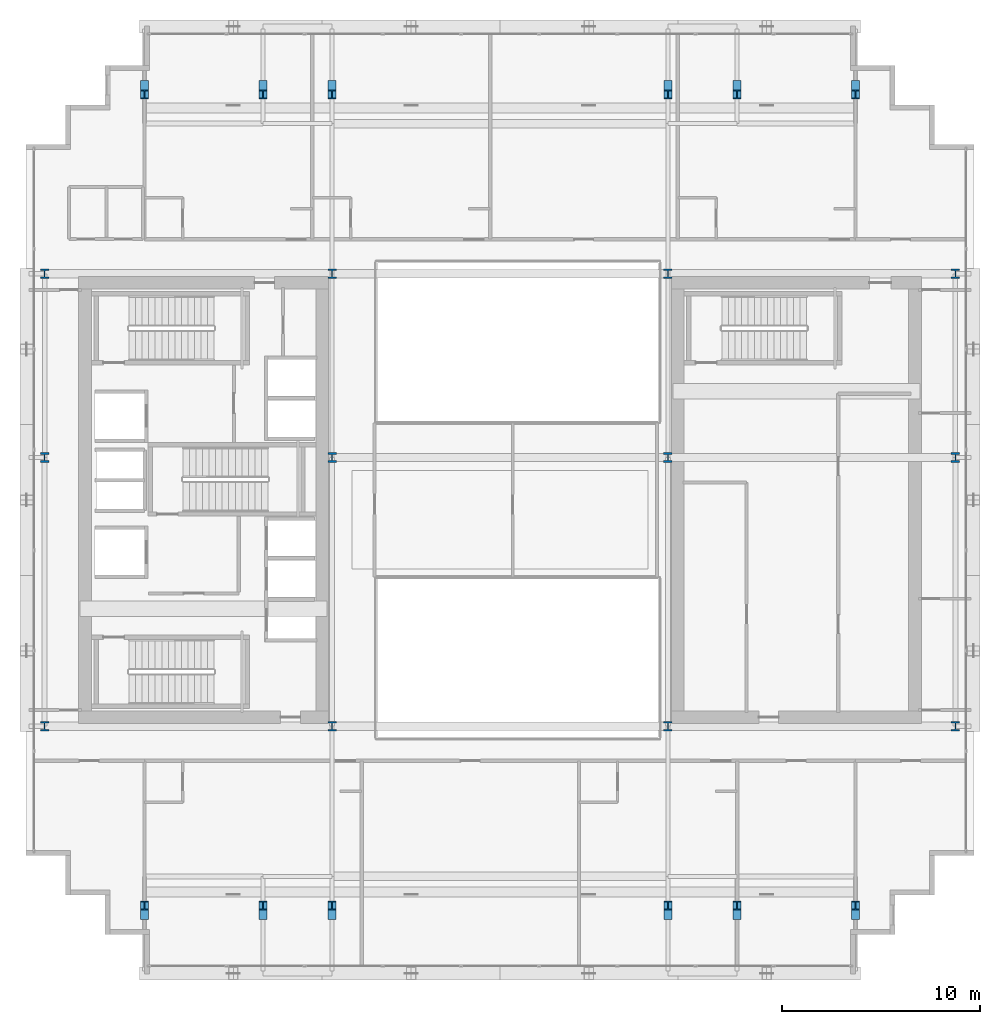
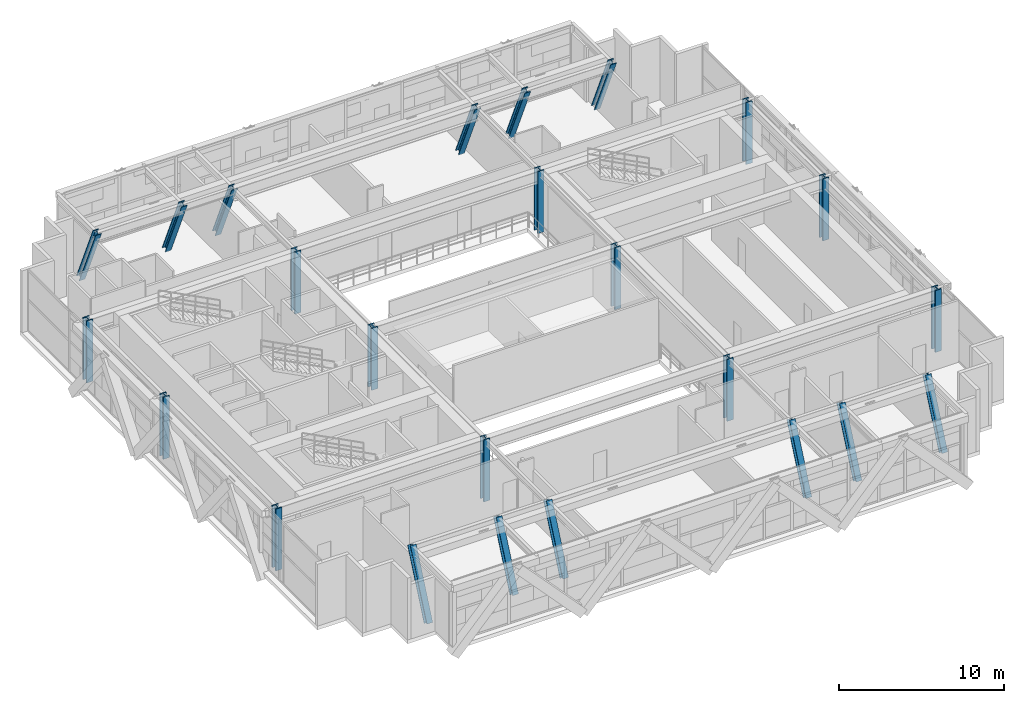
# One storey, part 1 of 35: 24 columns.
"""IFC4 building model written with IfcOpenShell, lengths in metres."""

from ifc_helpers import new_model, si_unit, direction, frame, origin, origin_2d, place, context, subcontext, project, spatial, i_section, extrude, source, transform, mapped, material, material_profile, profile_set, type_object, element, save


model = new_model("IFC4")

# Units and contexts
model_context = context("Model", 3, precision=1e-05, world=origin(), true_north=direction((0.0, 1.0)))
body_context = subcontext(model_context, "Body", "Model", "MODEL_VIEW")
ifc_project = project(units=[si_unit("LENGTHUNIT", "METRE"), si_unit("AREAUNIT", "SQUARE_METRE"), si_unit("VOLUMEUNIT", "CUBIC_METRE"), si_unit("PLANEANGLEUNIT", "RADIAN"), si_unit("MASSUNIT", "GRAM", prefix="KILO")], contexts=[model_context])

# Site, building, storey
site_placement = place(None, origin())
site = spatial("IfcSite", under=ifc_project, at=site_placement, CompositionType="ELEMENT")
building_placement = place(site_placement, origin())
building = spatial("IfcBuilding", under=site, at=building_placement, Name="Ocotamira Hotel", CompositionType="ELEMENT")
storey_placement = place(building_placement, frame((0.0, 0.0, 158.39990234375)))
storey = spatial("IfcBuildingStorey", under=building, at=storey_placement, Name="L39", CompositionType="ELEMENT", Elevation=158.39990234375)

# Columns
ifc_material = material(Name="Steel ASTM A913 Grade 65", Category="steel")
ifc_material_profile_1 = material_profile(ifc_material, i_section(OverallWidth=0.431884765625, OverallDepth=0.498046875, WebThickness=0.0556640625, FlangeThickness=0.0888671875, FilletRadius=0.02490234375, at=origin_2d()), Name="W14X500")
ifc_profile_set_1 = profile_set([ifc_material_profile_1], Name="Steel ASTM A913 Grade 65")
column_type_1 = type_object("IfcColumnType", Name="COL-W14X500", PredefinedType="COLUMN", material=ifc_profile_set_1)
shared_shape_1 = source(origin(), body_context, "Body", "SweptSolid", [
    extrude(i_section(OverallWidth=0.431884765625, OverallDepth=0.498046875, WebThickness=0.0556640625, FlangeThickness=0.0888671875, FilletRadius=0.02490234375, at=origin_2d()), origin(), (0.0, 0.0, 1.0), 4.570068359375),
])
for number, where, z_axis, x_axis, name in (
    (1, (8.949951171875, 14.550048828125, 0.0), (0.0, 0.0, 1.0), (1.0, 0.0, 0.0), "L39 Column TW8_14"),
    (2, (23.5, 14.550048828125, 0.0), (0.0, 0.0, 1.0), (1.0, 0.0, 0.0), "L39 Column TW23_14"),
    (3, (40.5, 14.550048828125, 0.0), (0.0, 0.0, 1.0), (1.0, 0.0, 0.0), "L39 Column TE40_14"),
    (4, (55.050048828125, 14.550048828125, 0.0), (0.0, 0.0, 1.0), (1.0, 0.0, 0.0), "L39 Column TE55_14"),
    (5, (8.949951171875, 28.14990234375, 0.0), (0.0, 0.0, 1.0), (1.0, 0.0, 0.0), "L39 Column TW8_28"),
    (6, (23.5, 28.14990234375, 0.0), (0.0, 0.0, 1.0), (1.0, 0.0, 0.0), "L39 Column TW23_28"),
    (7, (40.5, 28.14990234375, 0.0), (0.0, 0.0, 1.0), (1.0, 0.0, 0.0), "L39 Column TE40_28"),
    (8, (55.050048828125, 28.14990234375, 0.0), (0.0, 0.0, 1.0), (1.0, 0.0, 0.0), "L39 Column TE55_28"),
    (9, (8.949951171875, 37.449951171875, 0.0), (0.0, 0.0, 1.0), (1.0, 0.0, 0.0), "L39 Column TW8_37"),
    (10, (23.5, 37.449951171875, 0.0), (0.0, 0.0, 1.0), (1.0, 0.0, 0.0), "L39 Column TW23_37"),
    (11, (40.5, 37.449951171875, 0.0), (0.0, 0.0, 1.0), (1.0, 0.0, 0.0), "L39 Column TE40_37"),
    (12, (55.050048828125, 37.449951171875, 0.0), (0.0, 0.0, 1.0), (1.0, 0.0, 0.0), "L39 Column TE55_37"),
):
    element("IfcColumn", number, at=place(storey_placement, frame(where, z_axis=z_axis, x_axis=x_axis)), inside=storey, type_object=column_type_1, Name=name, PredefinedType="COLUMN", context=body_context, shape_type="MappedRepresentation", body=[
        mapped(shared_shape_1, transform((0.0, 0.0, 0.0), scale=1.0)),
    ])
ifc_material_profile_2 = material_profile(ifc_material, i_section(OverallWidth=0.404052734375, OverallDepth=0.406982421875, WebThickness=0.027099609375, FlangeThickness=0.043701171875, FilletRadius=0.02490234375, at=origin_2d()), Name="W14X233")
ifc_profile_set_2 = profile_set([ifc_material_profile_2], Name="Steel ASTM A913 Grade 65")
column_type_2 = type_object("IfcColumnType", Name="COL-W14X233", PredefinedType="COLUMN", material=ifc_profile_set_2)
shared_shape_2 = source(origin(), body_context, "Body", "SweptSolid", [
    extrude(i_section(OverallWidth=0.404052734375, OverallDepth=0.406982421875, WebThickness=0.027099609375, FlangeThickness=0.043701171875, FilletRadius=0.02490234375, at=origin_2d()), origin(), (0.0, 0.0, 1.0), 4.988525390625),
])
for number, where, z_axis, x_axis, name in (
    (13, (14.0, 4.949951171875, 0.0), (0.0, 0.400918958671, 0.916113523848), (-1.0, 0.0, 0.0), "L39 Column NSP1_14"),
    (14, (20.0, 4.949951171875, 0.0), (0.0, 0.400918958671, 0.916113523848), (-1.0, 0.0, 0.0), "L39 Column NSP1_20"),
    (15, (23.5, 4.949951171875, 0.0), (0.0, 0.400918958671, 0.916113523848), (-1.0, 0.0, 0.0), "L39 Column NSP1_23"),
    (16, (40.5, 4.949951171875, 0.0), (0.0, 0.400918958671, 0.916113523848), (-1.0, 0.0, 0.0), "L39 Column NSP1_40"),
    (17, (44.0, 4.949951171875, 0.0), (0.0, 0.400918958671, 0.916113523848), (-1.0, 0.0, 0.0), "L39 Column NSP1_44"),
    (18, (50.0, 4.949951171875, 0.0), (0.0, 0.400918958671, 0.916113523848), (-1.0, 0.0, 0.0), "L39 Column NSP1_50"),
    (19, (14.0, 47.050048828125, 0.0), (0.0, -0.400918958671, 0.916113523848), (1.0, 0.0, 0.0), "L39 Column NSP2_14"),
    (20, (20.0, 47.050048828125, 0.0), (0.0, -0.400918958671, 0.916113523848), (1.0, 0.0, 0.0), "L39 Column NSP2_20"),
    (21, (23.5, 47.050048828125, 0.0), (0.0, -0.400918958671, 0.916113523848), (1.0, 0.0, 0.0), "L39 Column NSP2_23"),
    (22, (40.5, 47.050048828125, 0.0), (0.0, -0.400918958671, 0.916113523848), (1.0, 0.0, 0.0), "L39 Column NSP2_40"),
    (23, (44.0, 47.050048828125, 0.0), (0.0, -0.400918958671, 0.916113523848), (1.0, 0.0, 0.0), "L39 Column NSP2_44"),
    (24, (50.0, 47.050048828125, 0.0), (0.0, -0.400918958671, 0.916113523848), (1.0, 0.0, 0.0), "L39 Column NSP2_50"),
):
    element("IfcColumn", number, at=place(storey_placement, frame(where, z_axis=z_axis, x_axis=x_axis)), inside=storey, type_object=column_type_2, Name=name, PredefinedType="COLUMN", context=body_context, shape_type="MappedRepresentation", body=[
        mapped(shared_shape_2, transform((0.0, 0.0, 0.0), scale=1.0)),
    ])

save(model, "model.ifc")
